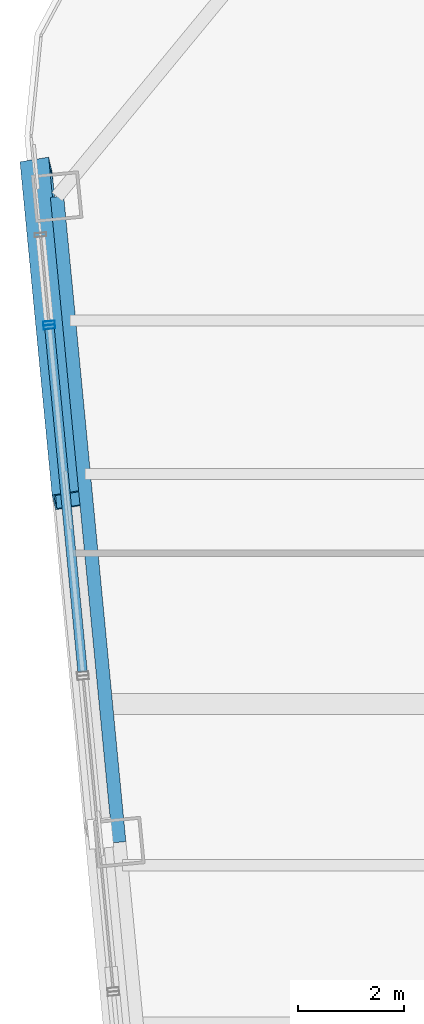
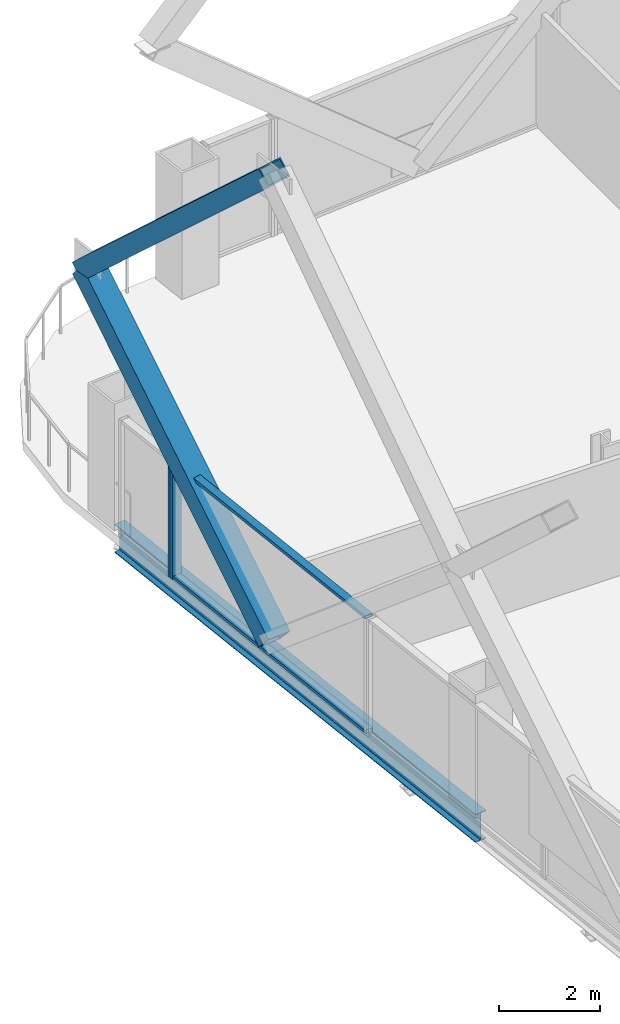
# One storey, part 18 of 32: 6 members, 1 beam, 2 elements without a shape of their own.
"""IFC4 building model written with IfcOpenShell, lengths in metres."""

from ifc_helpers import new_model, si_unit, direction, frame, origin, origin_2d, place, context, subcontext, project, spatial, hollow_rectangle, i_section, extrude, material, layer, layer_set, material_profile, profile_set, type_object, element, aggregate, save


model = new_model("IFC4")

# Units and contexts
model_context = context("Model", 3, precision=1e-05, world=origin(), true_north=direction((0.0, 1.0)))
body_context = subcontext(model_context, "Body", "Model", "MODEL_VIEW")
ifc_project = project(units=[si_unit("LENGTHUNIT", "METRE"), si_unit("AREAUNIT", "SQUARE_METRE"), si_unit("VOLUMEUNIT", "CUBIC_METRE"), si_unit("PLANEANGLEUNIT", "RADIAN"), si_unit("MASSUNIT", "GRAM", prefix="KILO")], contexts=[model_context])

# Site, building, storey
site_placement = place(None, origin())
site = spatial("IfcSite", under=ifc_project, at=site_placement, CompositionType="ELEMENT")
building_placement = place(site_placement, origin())
building = spatial("IfcBuilding", under=site, at=building_placement, Name="Qhalaya Broadcast Tower", CompositionType="ELEMENT")
storey_placement = place(building_placement, frame((0.0, 0.0, 81.64990234375)))
storey = spatial("IfcBuildingStorey", under=building, at=storey_placement, Name="L23", CompositionType="ELEMENT", Elevation=81.64990234375)

# Members
ifc_material_1 = material(Name="Structural Steel ASTM A572 Grade 50", Category="steel")
ifc_material_profile_1 = material_profile(ifc_material_1, hollow_rectangle(XDim=0.419921875, YDim=0.550048828125, WallThickness=0.028076171875, at=origin_2d()), Name="BOX 420x550x28")
ifc_profile_set_1 = profile_set([ifc_material_profile_1], Name="Structural Steel ASTM A572 Grade 50")
member_type_1 = type_object("IfcMemberType", Name="Exoskeleton Diamond Diagonal Mid-Low EX2", PredefinedType="BRACE", material=ifc_profile_set_1)
member_1_placement = place(storey_placement, frame((-22.00146484375, 13.805908203125, 0.360107421875), z_axis=(-0.073066636585, 0.758635580976, 0.647405067864), x_axis=(0.157184996454, -0.632267567763, 0.758637330775)))
element("IfcMember", 1, at=member_1_placement, inside=storey, type_object=member_type_1, Name="B2 Exoskeleton Diamond Brace W1-D1", PredefinedType="BRACE", context=body_context, shape_type="SweptSolid", body=[
    extrude(hollow_rectangle(XDim=0.419921875, YDim=0.550048828125, WallThickness=0.028076171875, at=origin_2d()), origin(), (0.0, 0.0, 1.0), 8.309814453125),
])
member_2_placement = place(storey_placement, frame((-22.608642578125, 20.110107421875, 5.739990234375), z_axis=(0.070368182799, -0.730618100613, 0.6791505797), x_axis=(-0.160214414414, 0.663721379818, 0.730619785789)))
element("IfcMember", 2, at=member_2_placement, inside=storey, type_object=member_type_1, Name="B2 Exoskeleton Diamond Brace W1-D3", PredefinedType="BRACE", context=body_context, shape_type="SweptSolid", body=[
    extrude(hollow_rectangle(XDim=0.419921875, YDim=0.550048828125, WallThickness=0.028076171875, at=origin_2d()), origin(), (0.0, 0.0, 1.0), 8.628662109375),
])

# Beam
ifc_material_2 = material(Name="Structural Steel ASTM A992 Grade 50", Category="steel")
ifc_material_profile_2 = material_profile(ifc_material_2, i_section(OverallWidth=0.25390625, OverallDepth=0.68310546875, WebThickness=0.012451171875, FlangeThickness=0.01904296875, at=origin_2d()), Name="W27X94")
ifc_profile_set_2 = profile_set([ifc_material_profile_2], Name="Structural Steel ASTM A992 Grade 50")
beam_type = type_object("IfcBeamType", Name="Perimeter Ring Spandrel Beam SP1", PredefinedType="SPANDREL", material=ifc_profile_set_2)
beam_placement = place(storey_placement, frame((-22.212646484375, 19.54541015625, -0.5615234375), z_axis=(0.095851586307, -0.99539563662, 0.0), x_axis=(0.99539563662, 0.095851586307, 0.0)))
element("IfcBeam", 3, at=beam_placement, inside=storey, type_object=beam_type, Name="L23 SP1 L23-SPR-13", PredefinedType="SPANDREL", context=body_context, shape_type="SweptSolid", body=[
    extrude(i_section(OverallWidth=0.25390625, OverallDepth=0.68310546875, WebThickness=0.012451171875, FlangeThickness=0.01904296875, at=origin_2d()), origin(), (0.0, 0.0, 1.0), 12.2666015625),
])

# Curtain wall, member
ifc_material_3 = material(Name="Solar-Control Low-E Triple Glazing", Category="glass")
ifc_layer_1 = layer(ifc_material_3, 0.219970703125, Name="Solar-Control Low-E Triple Glazing")
ifc_layer_set_1 = layer_set([ifc_layer_1], Name="Solar-Control Low-E Triple Glazing")
curtain_wall_type_1 = type_object("IfcCurtainWallType", Name="Even-Block 4-Storey Double-Module Curtain Wall CW-03", PredefinedType="NOTDEFINED", material=ifc_layer_set_1)
curtain_wall_1_placement = place(storey_placement, origin())
curtain_wall_1 = element("IfcCurtainWall", 4, at=curtain_wall_1_placement, inside=storey, type_object=curtain_wall_type_1, Name="L23 Unitised Curtain Wall L23-CW-W1", PredefinedType="NOTDEFINED")
ifc_material_4 = material(Name="Anodised Aluminium 6063-T6", Category="aluminium")
ifc_material_profile_3 = material_profile(ifc_material_4, hollow_rectangle(XDim=0.074951171875, YDim=0.219970703125, WallThickness=0.00390625, at=origin_2d()), Name="ALU-MUL 75x220x4")
ifc_profile_set_3 = profile_set([ifc_material_profile_3], Name="Anodised Aluminium 6063-T6")
member_type_2 = type_object("IfcMemberType", Name="Unitised Curtain-Wall Mullion M01", PredefinedType="MULLION", material=ifc_profile_set_3)
member_3_placement = place(storey_placement, frame((-22.3642578125, 17.155517578125, 0.0), z_axis=(0.0, 0.0, 1.0), x_axis=(0.095835306252, -0.995397204173, 0.0)))
member_3 = element("IfcMember", 5, at=member_3_placement, type_object=member_type_2, Name="CW-03 mullion 2", PredefinedType="MULLION", context=body_context, shape_type="SweptSolid", body=[
    extrude(hollow_rectangle(XDim=0.074951171875, YDim=0.219970703125, WallThickness=0.00390625, at=origin_2d()), origin(), (0.0, 0.0, 1.0), 2.830078125),
])
aggregate(curtain_wall_1, [member_3])

# Curtain wall, members
ifc_material_5 = material(Name="Fired Architectural Terracotta", Category="masonry")
ifc_layer_2 = layer(ifc_material_5, 0.219970703125, Name="Fired Architectural Terracotta")
ifc_layer_set_2 = layer_set([ifc_layer_2], Name="Fired Architectural Terracotta")
curtain_wall_type_2 = type_object("IfcCurtainWallType", Name="Block-Cap Unitised Terracotta Spandrel Wall CW-07", PredefinedType="NOTDEFINED", material=ifc_layer_set_2)
curtain_wall_2_placement = place(storey_placement, origin())
curtain_wall_2 = element("IfcCurtainWall", 6, at=curtain_wall_2_placement, inside=storey, type_object=curtain_wall_type_2, Name="L23 Unitised Curtain Wall L23-CW-W2", PredefinedType="NOTDEFINED")
member_4_placement = place(storey_placement, frame((-22.357177734375, 17.080810546875, 0.0), z_axis=(0.0, 0.0, 1.0), x_axis=(0.095856535899, -0.995395159987, 0.0)))
member_4 = element("IfcMember", 7, at=member_4_placement, type_object=member_type_2, Name="CW-07 mullion 1", PredefinedType="MULLION", context=body_context, shape_type="SweptSolid", body=[
    extrude(hollow_rectangle(XDim=0.074951171875, YDim=0.219970703125, WallThickness=0.00390625, at=origin_2d()), origin(), (0.0, 0.0, 1.0), 2.830078125),
])
ifc_material_profile_4 = material_profile(ifc_material_4, hollow_rectangle(XDim=0.074951171875, YDim=0.179931640625, WallThickness=0.00390625, at=origin_2d()), Name="ALU-TRN 75x180x4")
ifc_profile_set_4 = profile_set([ifc_material_profile_4], Name="Anodised Aluminium 6063-T6")
member_type_3 = type_object("IfcMemberType", Name="Unitised Curtain-Wall Transom T01", PredefinedType="USERDEFINED", material=ifc_profile_set_4)
member_5_placement = place(storey_placement, frame((-22.353515625, 17.04345703125, 0.03759765625), z_axis=(0.095847398754, -0.995396039852, 0.0), x_axis=(0.0, 0.0, 1.0)))
member_5 = element("IfcMember", 8, at=member_5_placement, type_object=member_type_3, Name="CW-07 transom 1.1", ObjectType="TRANSOM", PredefinedType="USERDEFINED", context=body_context, shape_type="SweptSolid", body=[
    extrude(hollow_rectangle(XDim=0.074951171875, YDim=0.179931640625, WallThickness=0.00390625, at=origin_2d()), origin(), (0.0, 0.0, 1.0), 6.51318359375),
])
member_6_placement = place(storey_placement, frame((-22.353515625, 17.04345703125, 2.79248046875), z_axis=(0.095847398754, -0.995396039852, 0.0), x_axis=(0.0, 0.0, 1.0)))
member_6 = element("IfcMember", 9, at=member_6_placement, type_object=member_type_3, Name="CW-07 transom 1.2", ObjectType="TRANSOM", PredefinedType="USERDEFINED", context=body_context, shape_type="SweptSolid", body=[
    extrude(hollow_rectangle(XDim=0.074951171875, YDim=0.179931640625, WallThickness=0.00390625, at=origin_2d()), origin(), (0.0, 0.0, 1.0), 6.51318359375),
])
aggregate(curtain_wall_2, [member_4, member_5, member_6])

save(model, "model.ifc")
